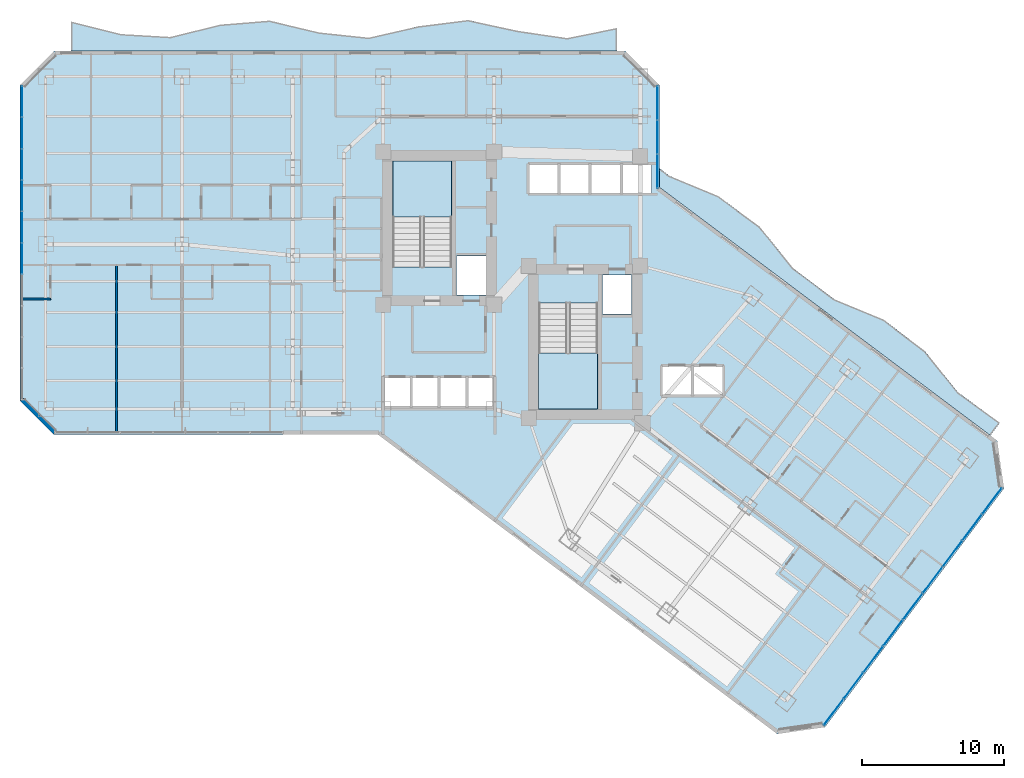
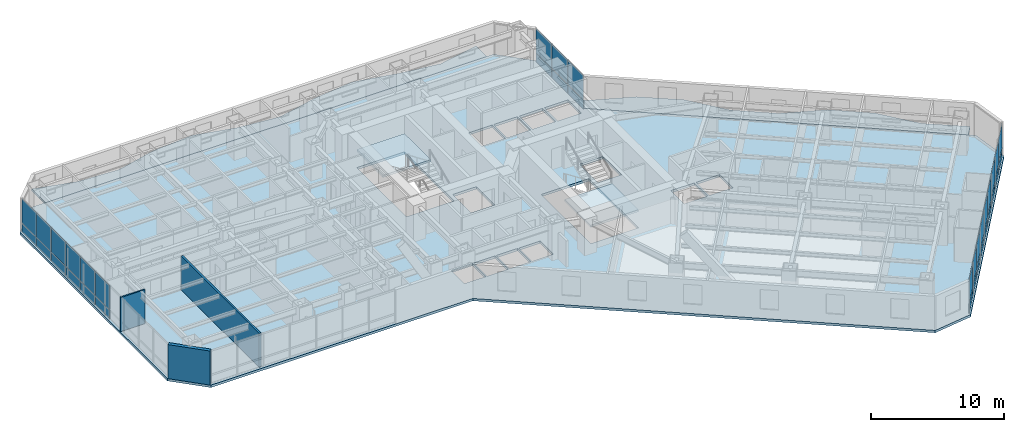
# One storey, part 21 of 32: 36 plates, 5 slabs, 3 walls, 5 elements without a shape of their own.
"""IFC4 building model written with IfcOpenShell, lengths in metres."""

from ifc_helpers import new_model, si_unit, direction, frame, frame_2d, origin, origin_2d, place, context, subcontext, project, spatial, polyline, rectangle, outline, extrude, material, layer, layer_set, type_object, element, aggregate, save


model = new_model("IFC4")

# Units and contexts
model_context = context("Model", 3, precision=1e-05, world=origin(), true_north=direction((0.0, 1.0)))
body_context = subcontext(model_context, "Body", "Model", "MODEL_VIEW")
ifc_project = project(units=[si_unit("LENGTHUNIT", "METRE"), si_unit("AREAUNIT", "SQUARE_METRE"), si_unit("VOLUMEUNIT", "CUBIC_METRE"), si_unit("PLANEANGLEUNIT", "RADIAN"), si_unit("MASSUNIT", "GRAM", prefix="KILO")], contexts=[model_context])

# Site, building, storey
site_placement = place(None, origin())
site = spatial("IfcSite", under=ifc_project, at=site_placement, CompositionType="ELEMENT")
building_placement = place(site_placement, origin())
building = spatial("IfcBuilding", under=site, at=building_placement, Name="Hatsunagi Terrace Concourse", CompositionType="ELEMENT")
storey_placement = place(building_placement, frame((0.0, 0.0, 46.64990234375)))
storey = spatial("IfcBuildingStorey", under=building, at=storey_placement, Name="L11", CompositionType="ELEMENT", Elevation=46.64990234375)

# Curtain wall, plates
ifc_material_1 = material(Name="Anodised Aluminium Alloy 6063-T5", Category="aluminium")
ifc_layer_1 = layer(ifc_material_1, 0.199951171875)
ifc_layer_set_1 = layer_set([ifc_layer_1], Name="HotelFacade_CW02")
curtain_wall_type = type_object("IfcCurtainWallType", Name="HotelFacade_CW02", PredefinedType="NOTDEFINED", material=ifc_layer_set_1)
curtain_wall_1_placement = place(storey_placement, origin())
curtain_wall_1 = element("IfcCurtainWall", 1, at=curtain_wall_1_placement, inside=storey, type_object=curtain_wall_type, Name="Unitised Curtain Wall CW-02 CW-L11-03", PredefinedType="NOTDEFINED")
ifc_material_2 = material(Name="Warm Terracotta Ceramic Spandrel Panel", Category="masonry")
ifc_layer_2 = layer(ifc_material_2, 0.031982421875)
ifc_layer_set_2 = layer_set([ifc_layer_2], Name="CurtainWallSpandrelPanel_32")
plate_type_1 = type_object("IfcPlateType", Name="CurtainWallSpandrelPanel_32", PredefinedType="SHEET", material=ifc_layer_set_2)
plate_1_placement = place(storey_placement, frame((68.39697265625, 18.72998046875, 0.030029296875), z_axis=(0.0, 0.0, 1.0), x_axis=(-0.599969314634, -0.800023013105, 0.0)))
plate_1 = element("IfcPlate", 2, at=plate_1_placement, type_object=plate_type_1, Name="Terracotta Spandrel Panel SPN-01", PredefinedType="SHEET", context=body_context, shape_type="SweptSolid", body=[
    extrude(rectangle(XDim=2.264892578125, YDim=0.031982421875, at=origin_2d()), origin(), (0.0, 0.0, 1.0), 0.7900390625),
])
plate_2_placement = place(storey_placement, frame((67.0048828125, 16.873046875, 0.030029296875), z_axis=(0.0, 0.0, 1.0), x_axis=(-0.599969314634, -0.800023013105, 0.0)))
plate_2 = element("IfcPlate", 3, at=plate_2_placement, type_object=plate_type_1, Name="Terracotta Spandrel Panel SPN-01", PredefinedType="SHEET", context=body_context, shape_type="SweptSolid", body=[
    extrude(rectangle(XDim=2.264892578125, YDim=0.031982421875, at=origin_2d()), origin(), (0.0, 0.0, 1.0), 0.7900390625),
])
plate_3_placement = place(storey_placement, frame((65.612060546875, 15.01708984375, 0.030029296875), z_axis=(0.0, 0.0, 1.0), x_axis=(-0.599969314634, -0.800023013105, 0.0)))
plate_3 = element("IfcPlate", 4, at=plate_3_placement, type_object=plate_type_1, Name="Terracotta Spandrel Panel SPN-01", PredefinedType="SHEET", context=body_context, shape_type="SweptSolid", body=[
    extrude(rectangle(XDim=2.264892578125, YDim=0.031982421875, at=origin_2d()), origin(), (0.0, 0.0, 1.0), 0.7900390625),
])
plate_4_placement = place(storey_placement, frame((64.219970703125, 13.159912109375, 0.030029296875), z_axis=(0.0, 0.0, 1.0), x_axis=(-0.599969314634, -0.800023013105, 0.0)))
plate_4 = element("IfcPlate", 5, at=plate_4_placement, type_object=plate_type_1, Name="Terracotta Spandrel Panel SPN-01", PredefinedType="SHEET", context=body_context, shape_type="SweptSolid", body=[
    extrude(rectangle(XDim=2.264892578125, YDim=0.031982421875, at=origin_2d()), origin(), (0.0, 0.0, 1.0), 0.7900390625),
])
plate_5_placement = place(storey_placement, frame((62.827880859375, 11.303955078125, 0.030029296875), z_axis=(0.0, 0.0, 1.0), x_axis=(-0.599969314634, -0.800023013105, 0.0)))
plate_5 = element("IfcPlate", 6, at=plate_5_placement, type_object=plate_type_1, Name="Terracotta Spandrel Panel SPN-01", PredefinedType="SHEET", context=body_context, shape_type="SweptSolid", body=[
    extrude(rectangle(XDim=2.264892578125, YDim=0.031982421875, at=origin_2d()), origin(), (0.0, 0.0, 1.0), 0.7900390625),
])
plate_6_placement = place(storey_placement, frame((61.43603515625, 9.447998046875, 0.030029296875), z_axis=(0.0, 0.0, 1.0), x_axis=(-0.599969314634, -0.800023013105, 0.0)))
plate_6 = element("IfcPlate", 7, at=plate_6_placement, type_object=plate_type_1, Name="Terracotta Spandrel Panel SPN-01", PredefinedType="SHEET", context=body_context, shape_type="SweptSolid", body=[
    extrude(rectangle(XDim=2.264892578125, YDim=0.031982421875, at=origin_2d()), origin(), (0.0, 0.0, 1.0), 0.7900390625),
])
plate_7_placement = place(storey_placement, frame((60.0439453125, 7.591064453125, 0.030029296875), z_axis=(0.0, 0.0, 1.0), x_axis=(-0.599969314634, -0.800023013105, 0.0)))
plate_7 = element("IfcPlate", 8, at=plate_7_placement, type_object=plate_type_1, Name="Terracotta Spandrel Panel SPN-01", PredefinedType="SHEET", context=body_context, shape_type="SweptSolid", body=[
    extrude(rectangle(XDim=2.264892578125, YDim=0.031982421875, at=origin_2d()), origin(), (0.0, 0.0, 1.0), 0.7900390625),
])
plate_8_placement = place(storey_placement, frame((58.65087890625, 5.735107421875, 0.030029296875), z_axis=(0.0, 0.0, 1.0), x_axis=(-0.599969314634, -0.800023013105, 0.0)))
plate_8 = element("IfcPlate", 9, at=plate_8_placement, type_object=plate_type_1, Name="Terracotta Spandrel Panel SPN-01", PredefinedType="SHEET", context=body_context, shape_type="SweptSolid", body=[
    extrude(rectangle(XDim=2.264892578125, YDim=0.031982421875, at=origin_2d()), origin(), (0.0, 0.0, 1.0), 0.7900390625),
])
plate_9_placement = place(storey_placement, frame((57.259033203125, 3.8779296875, 0.030029296875), z_axis=(0.0, 0.0, 1.0), x_axis=(-0.599969314634, -0.800023013105, 0.0)))
plate_9 = element("IfcPlate", 10, at=plate_9_placement, type_object=plate_type_1, Name="Terracotta Spandrel Panel SPN-01", PredefinedType="SHEET", context=body_context, shape_type="SweptSolid", body=[
    extrude(rectangle(XDim=2.264892578125, YDim=0.031982421875, at=origin_2d()), origin(), (0.0, 0.0, 1.0), 0.7900390625),
])

curtain_wall_2_placement = place(storey_placement, origin())
curtain_wall_2 = element("IfcCurtainWall", 11, at=curtain_wall_2_placement, inside=storey, type_object=curtain_wall_type, Name="Unitised Curtain Wall CW-02 CW-L11-09", PredefinedType="NOTDEFINED")
plate_10_placement = place(storey_placement, frame((0.139892578125, 35.7958984375, 0.030029296875), z_axis=(0.0, 0.0, 1.0), x_axis=(0.0, 1.0, 0.0)))
plate_10 = element("IfcPlate", 12, at=plate_10_placement, type_object=plate_type_1, Name="Terracotta Spandrel Panel SPN-01", PredefinedType="SHEET", context=body_context, shape_type="SweptSolid", body=[
    extrude(rectangle(XDim=2.153076171875, YDim=0.031982421875, at=origin_2d()), origin(), (0.0, 0.0, 1.0), 0.7900390625),
])
plate_11_placement = place(storey_placement, frame((0.139892578125, 38.00390625, 0.030029296875), z_axis=(0.0, 0.0, 1.0), x_axis=(0.0, 1.0, 0.0)))
plate_11 = element("IfcPlate", 13, at=plate_11_placement, type_object=plate_type_1, Name="Terracotta Spandrel Panel SPN-01", PredefinedType="SHEET", context=body_context, shape_type="SweptSolid", body=[
    extrude(rectangle(XDim=2.153076171875, YDim=0.031982421875, at=origin_2d()), origin(), (0.0, 0.0, 1.0), 0.7900390625),
])
plate_12_placement = place(storey_placement, frame((0.139892578125, 40.212890625, 0.030029296875), z_axis=(0.0, 0.0, 1.0), x_axis=(0.0, 1.0, 0.0)))
plate_12 = element("IfcPlate", 14, at=plate_12_placement, type_object=plate_type_1, Name="Terracotta Spandrel Panel SPN-01", PredefinedType="SHEET", context=body_context, shape_type="SweptSolid", body=[
    extrude(rectangle(XDim=2.153076171875, YDim=0.031982421875, at=origin_2d()), origin(), (0.0, 0.0, 1.0), 0.7900390625),
])
plate_13_placement = place(storey_placement, frame((0.139892578125, 42.4208984375, 0.030029296875), z_axis=(0.0, 0.0, 1.0), x_axis=(0.0, 1.0, 0.0)))
plate_13 = element("IfcPlate", 15, at=plate_13_placement, type_object=plate_type_1, Name="Terracotta Spandrel Panel SPN-01", PredefinedType="SHEET", context=body_context, shape_type="SweptSolid", body=[
    extrude(rectangle(XDim=2.153076171875, YDim=0.031982421875, at=origin_2d()), origin(), (0.0, 0.0, 1.0), 0.7900390625),
])
plate_14_placement = place(storey_placement, frame((0.139892578125, 44.62890625, 0.030029296875), z_axis=(0.0, 0.0, 1.0), x_axis=(0.0, 1.0, 0.0)))
plate_14 = element("IfcPlate", 16, at=plate_14_placement, type_object=plate_type_1, Name="Terracotta Spandrel Panel SPN-01", PredefinedType="SHEET", context=body_context, shape_type="SweptSolid", body=[
    extrude(rectangle(XDim=2.153076171875, YDim=0.031982421875, at=origin_2d()), origin(), (0.0, 0.0, 1.0), 0.7900390625),
])
plate_15_placement = place(storey_placement, frame((0.139892578125, 46.837890625, 0.030029296875), z_axis=(0.0, 0.0, 1.0), x_axis=(0.0, 1.0, 0.0)))
plate_15 = element("IfcPlate", 17, at=plate_15_placement, type_object=plate_type_1, Name="Terracotta Spandrel Panel SPN-01", PredefinedType="SHEET", context=body_context, shape_type="SweptSolid", body=[
    extrude(rectangle(XDim=2.153076171875, YDim=0.031982421875, at=origin_2d()), origin(), (0.0, 0.0, 1.0), 0.7900390625),
])

curtain_wall_3_placement = place(storey_placement, origin())
curtain_wall_3 = element("IfcCurtainWall", 18, at=curtain_wall_3_placement, inside=storey, type_object=curtain_wall_type, Name="Unitised Curtain Wall CW-02 CW-L11-13", PredefinedType="NOTDEFINED")
plate_16_placement = place(storey_placement, frame((44.860107421875, 46.739990234375, 0.030029296875), z_axis=(0.0, 0.0, 1.0), x_axis=(0.0, -1.0, 0.0)))
plate_16 = element("IfcPlate", 19, at=plate_16_placement, type_object=plate_type_1, Name="Terracotta Spandrel Panel SPN-01", PredefinedType="SHEET", context=body_context, shape_type="SweptSolid", body=[
    extrude(rectangle(XDim=2.34912109375, YDim=0.031982421875, at=origin_2d()), origin(), (0.0, 0.0, 1.0), 0.7900390625),
])
plate_17_placement = place(storey_placement, frame((44.860107421875, 44.3359375, 0.030029296875), z_axis=(0.0, 0.0, 1.0), x_axis=(0.0, -1.0, 0.0)))
plate_17 = element("IfcPlate", 20, at=plate_17_placement, type_object=plate_type_1, Name="Terracotta Spandrel Panel SPN-01", PredefinedType="SHEET", context=body_context, shape_type="SweptSolid", body=[
    extrude(rectangle(XDim=2.34912109375, YDim=0.031982421875, at=origin_2d()), origin(), (0.0, 0.0, 1.0), 0.7900390625),
])
plate_18_placement = place(storey_placement, frame((44.860107421875, 41.931884765625, 0.030029296875), z_axis=(0.0, 0.0, 1.0), x_axis=(0.0, -1.0, 0.0)))
plate_18 = element("IfcPlate", 21, at=plate_18_placement, type_object=plate_type_1, Name="Terracotta Spandrel Panel SPN-01", PredefinedType="SHEET", context=body_context, shape_type="SweptSolid", body=[
    extrude(rectangle(XDim=2.34912109375, YDim=0.031982421875, at=origin_2d()), origin(), (0.0, 0.0, 1.0), 0.7900390625),
])

# Plate
ifc_material_3 = material(Name="Low-E Double Insulating Glass 28mm", Category="glass")
ifc_layer_3 = layer(ifc_material_3, 0.028076171875)
ifc_layer_set_3 = layer_set([ifc_layer_3], Name="CurtainWallVisionGlass_28")
plate_type_2 = type_object("IfcPlateType", Name="CurtainWallVisionGlass_28", PredefinedType="CURTAIN_PANEL", material=ifc_layer_set_3)
plate_19_placement = place(storey_placement, frame((68.39697265625, 18.72998046875, 0.8798828125), z_axis=(0.0, 0.0, 1.0), x_axis=(-0.599969314634, -0.800023013105, 0.0)))
plate_19 = element("IfcPlate", 22, at=plate_19_placement, type_object=plate_type_2, Name="Low-E Vision Glass Panel GLZ-01", PredefinedType="CURTAIN_PANEL", context=body_context, shape_type="SweptSolid", body=[
    extrude(rectangle(XDim=2.264892578125, YDim=0.028076171875, at=origin_2d()), origin(), (0.0, 0.0, 1.0), 2.219970703125),
])

plate_20_placement = place(storey_placement, frame((67.0048828125, 16.873046875, 0.8798828125), z_axis=(0.0, 0.0, 1.0), x_axis=(-0.599969314634, -0.800023013105, 0.0)))
plate_20 = element("IfcPlate", 23, at=plate_20_placement, type_object=plate_type_2, Name="Low-E Vision Glass Panel GLZ-01", PredefinedType="CURTAIN_PANEL", context=body_context, shape_type="SweptSolid", body=[
    extrude(rectangle(XDim=2.264892578125, YDim=0.028076171875, at=origin_2d()), origin(), (0.0, 0.0, 1.0), 2.219970703125),
])

plate_21_placement = place(storey_placement, frame((65.612060546875, 15.01708984375, 0.8798828125), z_axis=(0.0, 0.0, 1.0), x_axis=(-0.599969314634, -0.800023013105, 0.0)))
plate_21 = element("IfcPlate", 24, at=plate_21_placement, type_object=plate_type_2, Name="Low-E Vision Glass Panel GLZ-01", PredefinedType="CURTAIN_PANEL", context=body_context, shape_type="SweptSolid", body=[
    extrude(rectangle(XDim=2.264892578125, YDim=0.028076171875, at=origin_2d()), origin(), (0.0, 0.0, 1.0), 2.219970703125),
])

plate_22_placement = place(storey_placement, frame((64.219970703125, 13.159912109375, 0.8798828125), z_axis=(0.0, 0.0, 1.0), x_axis=(-0.599969314634, -0.800023013105, 0.0)))
plate_22 = element("IfcPlate", 25, at=plate_22_placement, type_object=plate_type_2, Name="Low-E Vision Glass Panel GLZ-01", PredefinedType="CURTAIN_PANEL", context=body_context, shape_type="SweptSolid", body=[
    extrude(rectangle(XDim=2.264892578125, YDim=0.028076171875, at=origin_2d()), origin(), (0.0, 0.0, 1.0), 2.219970703125),
])

plate_23_placement = place(storey_placement, frame((62.827880859375, 11.303955078125, 0.8798828125), z_axis=(0.0, 0.0, 1.0), x_axis=(-0.599969314634, -0.800023013105, 0.0)))
plate_23 = element("IfcPlate", 26, at=plate_23_placement, type_object=plate_type_2, Name="Low-E Vision Glass Panel GLZ-01", PredefinedType="CURTAIN_PANEL", context=body_context, shape_type="SweptSolid", body=[
    extrude(rectangle(XDim=2.264892578125, YDim=0.028076171875, at=origin_2d()), origin(), (0.0, 0.0, 1.0), 2.219970703125),
])

plate_24_placement = place(storey_placement, frame((61.43603515625, 9.447998046875, 0.8798828125), z_axis=(0.0, 0.0, 1.0), x_axis=(-0.599969314634, -0.800023013105, 0.0)))
plate_24 = element("IfcPlate", 27, at=plate_24_placement, type_object=plate_type_2, Name="Low-E Vision Glass Panel GLZ-01", PredefinedType="CURTAIN_PANEL", context=body_context, shape_type="SweptSolid", body=[
    extrude(rectangle(XDim=2.264892578125, YDim=0.028076171875, at=origin_2d()), origin(), (0.0, 0.0, 1.0), 2.219970703125),
])

plate_25_placement = place(storey_placement, frame((60.0439453125, 7.591064453125, 0.8798828125), z_axis=(0.0, 0.0, 1.0), x_axis=(-0.599969314634, -0.800023013105, 0.0)))
plate_25 = element("IfcPlate", 28, at=plate_25_placement, type_object=plate_type_2, Name="Low-E Vision Glass Panel GLZ-01", PredefinedType="CURTAIN_PANEL", context=body_context, shape_type="SweptSolid", body=[
    extrude(rectangle(XDim=2.264892578125, YDim=0.028076171875, at=origin_2d()), origin(), (0.0, 0.0, 1.0), 2.219970703125),
])

plate_26_placement = place(storey_placement, frame((58.65087890625, 5.735107421875, 0.8798828125), z_axis=(0.0, 0.0, 1.0), x_axis=(-0.599969314634, -0.800023013105, 0.0)))
plate_26 = element("IfcPlate", 29, at=plate_26_placement, type_object=plate_type_2, Name="Low-E Vision Glass Panel GLZ-01", PredefinedType="CURTAIN_PANEL", context=body_context, shape_type="SweptSolid", body=[
    extrude(rectangle(XDim=2.264892578125, YDim=0.028076171875, at=origin_2d()), origin(), (0.0, 0.0, 1.0), 2.219970703125),
])

plate_27_placement = place(storey_placement, frame((57.259033203125, 3.8779296875, 0.8798828125), z_axis=(0.0, 0.0, 1.0), x_axis=(-0.599969314634, -0.800023013105, 0.0)))
plate_27 = element("IfcPlate", 30, at=plate_27_placement, type_object=plate_type_2, Name="Low-E Vision Glass Panel GLZ-01", PredefinedType="CURTAIN_PANEL", context=body_context, shape_type="SweptSolid", body=[
    extrude(rectangle(XDim=2.264892578125, YDim=0.028076171875, at=origin_2d()), origin(), (0.0, 0.0, 1.0), 2.219970703125),
])

aggregate(curtain_wall_1, [plate_1, plate_19, plate_2, plate_20, plate_3, plate_21, plate_4, plate_22, plate_5, plate_23, plate_6, plate_24, plate_7, plate_25, plate_8, plate_26, plate_9, plate_27])

plate_28_placement = place(storey_placement, frame((0.139892578125, 35.7958984375, 0.8798828125), z_axis=(0.0, 0.0, 1.0), x_axis=(0.0, 1.0, 0.0)))
plate_28 = element("IfcPlate", 31, at=plate_28_placement, type_object=plate_type_2, Name="Low-E Vision Glass Panel GLZ-01", PredefinedType="CURTAIN_PANEL", context=body_context, shape_type="SweptSolid", body=[
    extrude(rectangle(XDim=2.153076171875, YDim=0.028076171875, at=origin_2d()), origin(), (0.0, 0.0, 1.0), 2.219970703125),
])

plate_29_placement = place(storey_placement, frame((0.139892578125, 38.00390625, 0.8798828125), z_axis=(0.0, 0.0, 1.0), x_axis=(0.0, 1.0, 0.0)))
plate_29 = element("IfcPlate", 32, at=plate_29_placement, type_object=plate_type_2, Name="Low-E Vision Glass Panel GLZ-01", PredefinedType="CURTAIN_PANEL", context=body_context, shape_type="SweptSolid", body=[
    extrude(rectangle(XDim=2.153076171875, YDim=0.028076171875, at=origin_2d()), origin(), (0.0, 0.0, 1.0), 2.219970703125),
])

plate_30_placement = place(storey_placement, frame((0.139892578125, 40.212890625, 0.8798828125), z_axis=(0.0, 0.0, 1.0), x_axis=(0.0, 1.0, 0.0)))
plate_30 = element("IfcPlate", 33, at=plate_30_placement, type_object=plate_type_2, Name="Low-E Vision Glass Panel GLZ-01", PredefinedType="CURTAIN_PANEL", context=body_context, shape_type="SweptSolid", body=[
    extrude(rectangle(XDim=2.153076171875, YDim=0.028076171875, at=origin_2d()), origin(), (0.0, 0.0, 1.0), 2.219970703125),
])

plate_31_placement = place(storey_placement, frame((0.139892578125, 42.4208984375, 0.8798828125), z_axis=(0.0, 0.0, 1.0), x_axis=(0.0, 1.0, 0.0)))
plate_31 = element("IfcPlate", 34, at=plate_31_placement, type_object=plate_type_2, Name="Low-E Vision Glass Panel GLZ-01", PredefinedType="CURTAIN_PANEL", context=body_context, shape_type="SweptSolid", body=[
    extrude(rectangle(XDim=2.153076171875, YDim=0.028076171875, at=origin_2d()), origin(), (0.0, 0.0, 1.0), 2.219970703125),
])

plate_32_placement = place(storey_placement, frame((0.139892578125, 44.62890625, 0.8798828125), z_axis=(0.0, 0.0, 1.0), x_axis=(0.0, 1.0, 0.0)))
plate_32 = element("IfcPlate", 35, at=plate_32_placement, type_object=plate_type_2, Name="Low-E Vision Glass Panel GLZ-01", PredefinedType="CURTAIN_PANEL", context=body_context, shape_type="SweptSolid", body=[
    extrude(rectangle(XDim=2.153076171875, YDim=0.028076171875, at=origin_2d()), origin(), (0.0, 0.0, 1.0), 2.219970703125),
])

plate_33_placement = place(storey_placement, frame((0.139892578125, 46.837890625, 0.8798828125), z_axis=(0.0, 0.0, 1.0), x_axis=(0.0, 1.0, 0.0)))
plate_33 = element("IfcPlate", 36, at=plate_33_placement, type_object=plate_type_2, Name="Low-E Vision Glass Panel GLZ-01", PredefinedType="CURTAIN_PANEL", context=body_context, shape_type="SweptSolid", body=[
    extrude(rectangle(XDim=2.153076171875, YDim=0.028076171875, at=origin_2d()), origin(), (0.0, 0.0, 1.0), 2.219970703125),
])

aggregate(curtain_wall_2, [plate_10, plate_28, plate_11, plate_29, plate_12, plate_30, plate_13, plate_31, plate_14, plate_32, plate_15, plate_33])

plate_34_placement = place(storey_placement, frame((44.860107421875, 46.739990234375, 0.8798828125), z_axis=(0.0, 0.0, 1.0), x_axis=(0.0, -1.0, 0.0)))
plate_34 = element("IfcPlate", 37, at=plate_34_placement, type_object=plate_type_2, Name="Low-E Vision Glass Panel GLZ-01", PredefinedType="CURTAIN_PANEL", context=body_context, shape_type="SweptSolid", body=[
    extrude(rectangle(XDim=2.34912109375, YDim=0.028076171875, at=origin_2d()), origin(), (0.0, 0.0, 1.0), 2.219970703125),
])

plate_35_placement = place(storey_placement, frame((44.860107421875, 44.3359375, 0.8798828125), z_axis=(0.0, 0.0, 1.0), x_axis=(0.0, -1.0, 0.0)))
plate_35 = element("IfcPlate", 38, at=plate_35_placement, type_object=plate_type_2, Name="Low-E Vision Glass Panel GLZ-01", PredefinedType="CURTAIN_PANEL", context=body_context, shape_type="SweptSolid", body=[
    extrude(rectangle(XDim=2.34912109375, YDim=0.028076171875, at=origin_2d()), origin(), (0.0, 0.0, 1.0), 2.219970703125),
])

plate_36_placement = place(storey_placement, frame((44.860107421875, 41.931884765625, 0.8798828125), z_axis=(0.0, 0.0, 1.0), x_axis=(0.0, -1.0, 0.0)))
plate_36 = element("IfcPlate", 39, at=plate_36_placement, type_object=plate_type_2, Name="Low-E Vision Glass Panel GLZ-01", PredefinedType="CURTAIN_PANEL", context=body_context, shape_type="SweptSolid", body=[
    extrude(rectangle(XDim=2.34912109375, YDim=0.028076171875, at=origin_2d()), origin(), (0.0, 0.0, 1.0), 2.219970703125),
])

aggregate(curtain_wall_3, [plate_16, plate_34, plate_17, plate_35, plate_18, plate_36])

# Stair, slab
ifc_material_4 = material(Name="Concrete Fc42", Category="concrete")
stair_type = type_object("IfcStairType", Name="DoglegExitStair_Tower2000_20R_168", PredefinedType="HALF_TURN_STAIR", material=ifc_material_4)
stair_1_placement = place(storey_placement, origin())
stair_1 = element("IfcStair", 40, at=stair_1_placement, inside=storey, type_object=stair_type, Name="L11 Core A Protected Exit Stair ST-A", PredefinedType="HALF_TURN_STAIR")
ifc_material_5 = material(Name="Concrete Fc42", Category="concrete")
ifc_layer_4 = layer(ifc_material_5, 0.199951171875)
ifc_layer_set_4 = layer_set([ifc_layer_4], Name="DoglegStairLanding_Tower2000")
slab_type_1 = type_object("IfcSlabType", Name="DoglegStairLanding_Tower2000", PredefinedType="LANDING", material=ifc_layer_set_4)
slab_1_placement = place(storey_placement, frame((0.0, 0.0, 1.47509765625)))
slab_1 = element("IfcSlab", 41, at=slab_1_placement, type_object=slab_type_1, Name="ST-A landing 1", PredefinedType="LANDING", context=body_context, shape_type="SweptSolid", body=[
    extrude(outline(polyline([(30.3798828125, 38.7099609375), (30.3798828125, 42.659912109375), (26.22998046875, 42.659912109375), (26.22998046875, 38.7099609375), (30.3798828125, 38.7099609375)])), origin(), (0.0, 0.0, 1.0), 0.199951171875),
])
aggregate(stair_1, [slab_1])

stair_2_placement = place(storey_placement, origin())
stair_2 = element("IfcStair", 42, at=stair_2_placement, inside=storey, type_object=stair_type, Name="L11 Core B Protected Exit Stair ST-B", PredefinedType="HALF_TURN_STAIR")
slab_2_placement = place(storey_placement, frame((0.0, 0.0, 1.47509765625)))
slab_2 = element("IfcSlab", 43, at=slab_2_placement, type_object=slab_type_1, Name="ST-B landing 1", PredefinedType="LANDING", context=body_context, shape_type="SweptSolid", body=[
    extrude(outline(polyline([(36.5, 29.14990234375), (36.5, 25.199951171875), (40.64990234375, 25.199951171875), (40.64990234375, 29.14990234375), (36.5, 29.14990234375)])), origin(), (0.0, 0.0, 1.0), 0.199951171875),
])
aggregate(stair_2, [slab_2])

# Slabs
ifc_material_6 = material(Name="Concrete Fc42", Category="concrete")
ifc_layer_5 = layer(ifc_material_6, 0.199951171875)
ifc_layer_set_5 = layer_set([ifc_layer_5], Name="EngawaBalconySlab_Fc42_200")
slab_type_2 = type_object("IfcSlabType", Name="EngawaBalconySlab_Fc42_200", PredefinedType="FLOOR", material=ifc_layer_set_5)
slab_3_placement = place(storey_placement, frame((0.0, 0.0, -0.199951171875)))
element("IfcSlab", 44, at=slab_3_placement, inside=storey, type_object=slab_type_2, Name="Engawa Balcony Slab BAL-L11-BN", PredefinedType="FLOOR", context=body_context, shape_type="SweptSolid", body=[
    extrude(outline(polyline([(3.60009765625, 52.47607421875), (3.60009765625, 50.39990234375), (42.0, 50.39990234375), (42.0, 52.01806640625), (38.509033203125, 51.30810546875), (35.01806640625, 51.821044921875), (31.527099609375, 52.580078125), (28.035888671875, 52.138916015625), (24.544921875, 51.337890625), (21.054931640625, 51.702880859375), (17.56396484375, 52.5390625), (14.072998046875, 52.2529296875), (10.58203125, 51.389892578125), (7.091064453125, 51.593017578125), (3.60009765625, 52.47607421875)])), origin(), (0.0, 0.0, 1.0), 0.199951171875),
])
slab_4_placement = place(storey_placement, frame((0.0, 0.0, -0.199951171875)))
element("IfcSlab", 45, at=slab_4_placement, inside=storey, type_object=slab_type_2, Name="Engawa Balcony Slab BAL-L11-BSE", PredefinedType="FLOOR", context=body_context, shape_type="SweptSolid", body=[
    extrude(outline(polyline([(45.666015625, 41.633056640625), (44.99609375, 42.152099609375), (44.99609375, 40.802978515625), (68.280029296875, 23.340087890625), (68.951904296875, 24.235107421875), (66.014892578125, 26.3759765625), (63.6630859375, 29.2958984375), (60.77099609375, 31.493896484375), (57.30810546875, 32.93310546875), (54.404052734375, 35.116943359375), (52.052978515625, 38.037109375), (49.1279296875, 40.19189453125), (45.666015625, 41.633056640625)])), origin(), (0.0, 0.0, 1.0), 0.199951171875),
])
ifc_material_7 = material(Name="Concrete Fc42", Category="concrete")
ifc_layer_6 = layer(ifc_material_7, 0.219970703125)
ifc_layer_set_6 = layer_set([ifc_layer_6], Name="HotelFloorSlab_Fc42_220")
slab_type_3 = type_object("IfcSlabType", Name="HotelFloorSlab_Fc42_220", PredefinedType="FLOOR", material=ifc_layer_set_6)
slab_5_placement = place(storey_placement, frame((0.0, 0.0, -0.219970703125)))
element("IfcSlab", 46, at=slab_5_placement, inside=storey, type_object=slab_type_3, Name="Floor Slab SL-220 L11", PredefinedType="FLOOR", context=body_context, shape_type="SweptSolid", body=[
    extrude(outline(polyline([(45.0, 40.800048828125), (45.0, 48.0), (42.60009765625, 50.39990234375), (2.39990234375, 50.39990234375), (0.0, 48.0), (0.0, 25.800048828125), (2.39990234375, 23.39990234375), (25.199951171875, 23.39990234375), (53.280029296875, 2.340087890625), (56.639892578125, 2.820068359375), (69.239990234375, 19.6201171875), (68.760009765625, 22.97998046875), (45.0, 40.800048828125)]), holes=[polyline([(26.22998046875, 35.205078125), (30.3798828125, 35.205078125), (30.3798828125, 42.659912109375), (26.22998046875, 42.659912109375), (26.22998046875, 35.205078125)]), polyline([(36.5, 25.199951171875), (40.64990234375, 25.199951171875), (40.64990234375, 32.655029296875), (36.5, 32.655029296875), (36.5, 25.199951171875)]), polyline([(30.719970703125, 33.219970703125), (32.780029296875, 33.219970703125), (32.780029296875, 35.97998046875), (30.719970703125, 35.97998046875), (30.719970703125, 33.219970703125)]), polyline([(40.97998046875, 31.8798828125), (43.02001953125, 31.8798828125), (43.02001953125, 34.639892578125), (40.97998046875, 34.639892578125), (40.97998046875, 31.8798828125)]), polyline([(25.6201171875, 25.39990234375), (27.47998046875, 25.39990234375), (27.47998046875, 27.39990234375), (25.6201171875, 27.39990234375), (25.6201171875, 25.39990234375)]), polyline([(27.580078125, 25.39990234375), (29.43994140625, 25.39990234375), (29.43994140625, 27.39990234375), (27.580078125, 27.39990234375), (27.580078125, 25.39990234375)]), polyline([(29.5400390625, 25.39990234375), (31.39990234375, 25.39990234375), (31.39990234375, 27.39990234375), (29.5400390625, 27.39990234375), (29.5400390625, 25.39990234375)]), polyline([(31.5, 25.39990234375), (33.360107421875, 25.39990234375), (33.360107421875, 27.39990234375), (31.5, 27.39990234375), (31.5, 25.39990234375)]), polyline([(35.800048828125, 40.39990234375), (37.85009765625, 40.39990234375), (37.85009765625, 42.39990234375), (35.800048828125, 42.39990234375), (35.800048828125, 40.39990234375)]), polyline([(38.0, 40.39990234375), (40.050048828125, 40.39990234375), (40.050048828125, 42.39990234375), (38.0, 42.39990234375), (38.0, 40.39990234375)]), polyline([(40.199951171875, 40.39990234375), (42.25, 40.39990234375), (42.25, 42.39990234375), (40.199951171875, 42.39990234375), (40.199951171875, 40.39990234375)]), polyline([(42.39990234375, 40.39990234375), (44.449951171875, 40.39990234375), (44.449951171875, 42.39990234375), (42.39990234375, 42.39990234375), (42.39990234375, 40.39990234375)]), polyline([(45.199951171875, 26.199951171875), (47.25, 26.199951171875), (47.25, 28.199951171875), (45.199951171875, 28.199951171875), (45.199951171875, 26.199951171875)]), polyline([(47.39990234375, 26.199951171875), (49.449951171875, 26.199951171875), (49.449951171875, 28.199951171875), (47.39990234375, 28.199951171875), (47.39990234375, 26.199951171875)])]), origin(), (0.0, 0.0, 1.0), 0.219970703125),
])

# Walls
ifc_material_8 = material(Name="Acoustic mineral board", Category="gypsum")
ifc_layer_7 = layer(ifc_material_8, 0.1201171875)
ifc_layer_set_7 = layer_set([ifc_layer_7], Name="PartitionWall_EI30_120")
wall_type_1 = type_object("IfcWallType", Name="PartitionWall_EI30_120", PredefinedType="PARTITIONING", material=ifc_layer_set_7)
wall_1_placement = place(storey_placement, frame((0.0400390625, 32.949951171875, 0.0), z_axis=(0.0, 0.0, 1.0), x_axis=(1.0, 0.0, 0.0)))
element("IfcWall", 47, at=wall_1_placement, inside=storey, type_object=wall_type_1, Name="Interior Partition IW-L11-067", PredefinedType="PARTITIONING", context=body_context, shape_type="SweptSolid", body=[
    extrude(rectangle(XDim=2.10986328125, YDim=0.1201171875, at=frame_2d((1.054931640625, 0.0))), origin(), (0.0, 0.0, 1.0), 3.130126953125),
])
ifc_material_9 = material(Name="Acoustic mineral board", Category="gypsum")
ifc_layer_8 = layer(ifc_material_9, 0.14990234375)
ifc_layer_set_8 = layer_set([ifc_layer_8], Name="PartitionWall_EI60_150")
wall_type_2 = type_object("IfcWallType", Name="PartitionWall_EI60_150", PredefinedType="PARTITIONING", material=ifc_layer_set_8)
wall_2_placement = place(storey_placement, frame((6.800048828125, 23.60009765625, 0.0), z_axis=(0.0, 0.0, 1.0), x_axis=(0.0, 1.0, 0.0)))
element("IfcWall", 48, at=wall_2_placement, inside=storey, type_object=wall_type_2, Name="Interior Partition IW-L11-068", PredefinedType="PARTITIONING", context=body_context, shape_type="SweptSolid", body=[
    extrude(rectangle(XDim=11.75, YDim=0.14990234375, at=frame_2d((5.875, 0.0))), origin(), (0.0, 0.0, 1.0), 3.130126953125),
])
ifc_material_10 = material(Name="Autoclaved Lightweight Concrete and Terracotta Cladding", Category="masonry")
ifc_layer_9 = layer(ifc_material_10, 0.280029296875)
ifc_layer_set_9 = layer_set([ifc_layer_9], Name="TerracottaSpandrelWall_280")
wall_type_3 = type_object("IfcWallType", Name="TerracottaSpandrelWall_280", PredefinedType="STANDARD", material=ifc_layer_set_9)
wall_3_placement = place(storey_placement, frame((2.4580078125, 23.5400390625, 0.0), z_axis=(0.0, 0.0, 1.0), x_axis=(-0.707144017911, 0.707069542501, 0.0)))
element("IfcWall", 49, at=wall_3_placement, inside=storey, type_object=wall_type_3, Name="Exterior Spandrel Wall EW-L11-08", PredefinedType="STANDARD", context=body_context, shape_type="SweptSolid", body=[
    extrude(rectangle(XDim=3.278076171875, YDim=0.280029296875, at=frame_2d((1.63916015625, 0.0))), origin(), (0.0, 0.0, 1.0), 3.130126953125),
])

save(model, "model.ifc")
